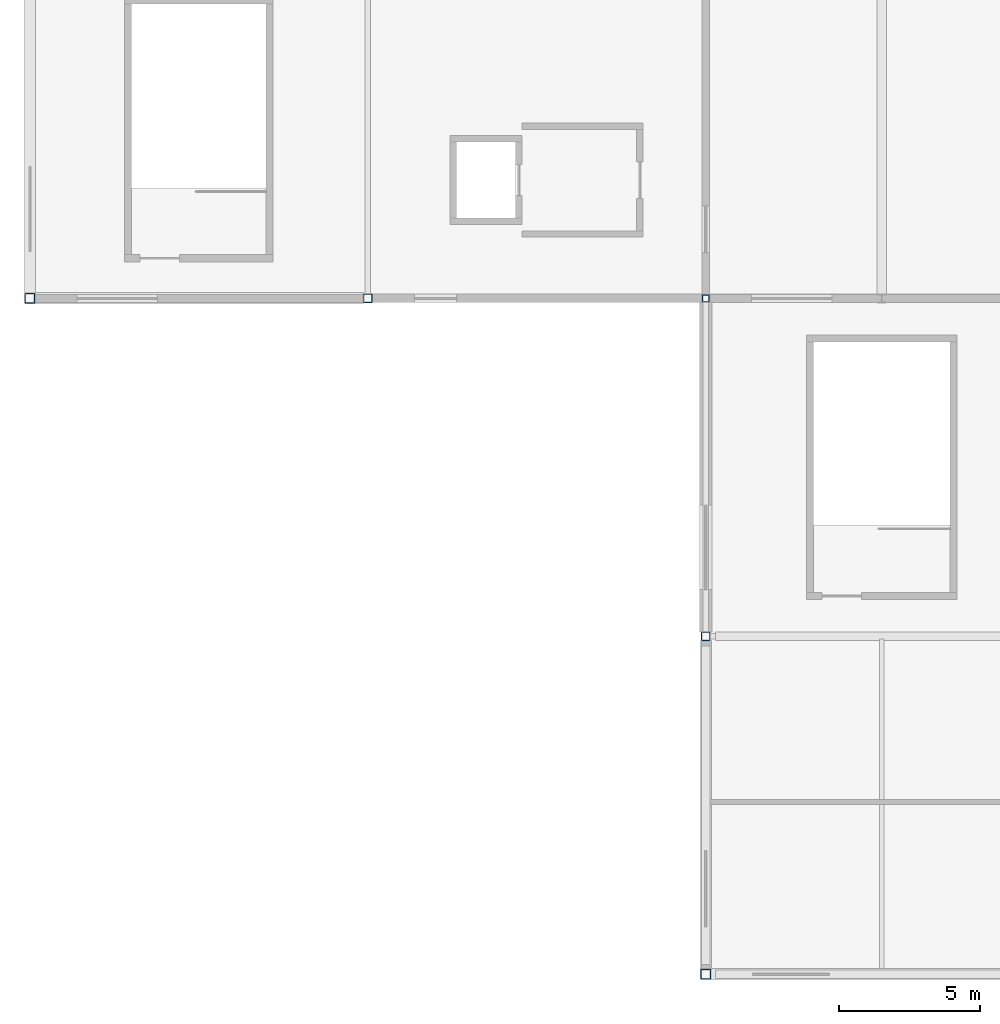
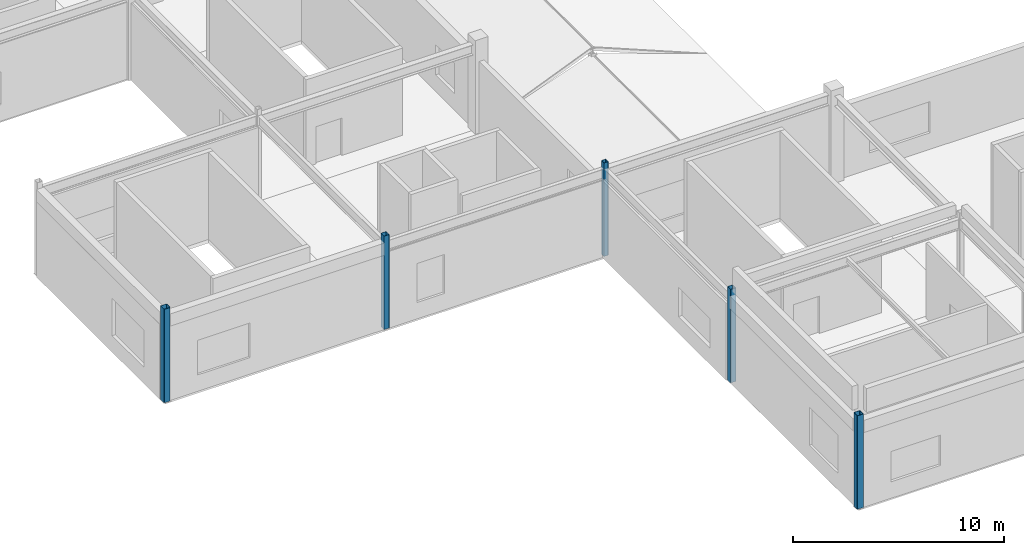
# One storey, part 1 of 76: 5 columns.
"""IFC4 building model written with IfcOpenShell, lengths in metres."""

from ifc_helpers import new_model, si_unit, direction, frame, origin, origin_2d, place, context, subcontext, project, spatial, hollow_rectangle, extrude, material, material_profile, profile_set, type_object, element, save


model = new_model("IFC4")

# Units and contexts
model_context = context("Model", 3, precision=1e-05, world=origin(), true_north=direction((0.0, 1.0)))
body_context = subcontext(model_context, "Body", "Model", "MODEL_VIEW")
ifc_project = project(units=[si_unit("LENGTHUNIT", "METRE"), si_unit("AREAUNIT", "SQUARE_METRE"), si_unit("VOLUMEUNIT", "CUBIC_METRE"), si_unit("PLANEANGLEUNIT", "RADIAN"), si_unit("MASSUNIT", "GRAM", prefix="KILO")], contexts=[model_context])

# Site, building, storey
site_placement = place(None, origin())
site = spatial("IfcSite", under=ifc_project, at=site_placement, CompositionType="ELEMENT")
building_placement = place(site_placement, origin())
building = spatial("IfcBuilding", under=site, at=building_placement, Name="Kazenohara Klinker Stadium", CompositionType="ELEMENT")
storey_placement = place(building_placement, frame((0.0, 0.0, 25.800048828125)))
storey = spatial("IfcBuildingStorey", under=building, at=storey_placement, Name="L05", CompositionType="ELEMENT", Elevation=25.800048828125)

# Columns
ifc_material = material(Name="Steel S355", Category="steel")
ifc_material_profile_1 = material_profile(ifc_material, hollow_rectangle(XDim=0.35009765625, YDim=0.35009765625, WallThickness=0.01611328125, InnerFilletRadius=0.01611328125, OuterFilletRadius=0.031982421875, at=origin_2d()), Name="SHS-350x350x16")
ifc_profile_set_1 = profile_set([ifc_material_profile_1], Name="Steel S355")
column_type_1 = type_object("IfcColumnType", Name="COL-ST02", PredefinedType="COLUMN", material=ifc_profile_set_1)
for number, where, z_axis, x_axis, name in (
    (1, (0.0, 36.0, 0.0), (0.0, 0.0, 1.0), (1.0, 0.0, 0.0), "Column SC02 L05 1/D"),
    (2, (24.0, 12.0, 0.0), (0.0, 0.0, 1.0), (1.0, 0.0, 0.0), "Column SC02 L05 3/B"),
):
    element("IfcColumn", number, at=place(storey_placement, frame(where, z_axis=z_axis, x_axis=x_axis)), inside=storey, type_object=column_type_1, Name=name, PredefinedType="COLUMN", context=body_context, shape_type="SweptSolid", body=[
        extrude(hollow_rectangle(XDim=0.35009765625, YDim=0.35009765625, WallThickness=0.01611328125, InnerFilletRadius=0.01611328125, OuterFilletRadius=0.031982421875, at=origin_2d()), origin(), (0.0, 0.0, 1.0), 5.39990234375),
    ])
ifc_material_profile_2 = material_profile(ifc_material, hollow_rectangle(XDim=0.300048828125, YDim=0.300048828125, WallThickness=0.011962890625, InnerFilletRadius=0.011962890625, OuterFilletRadius=0.02392578125, at=origin_2d()), Name="SHS-300x300x12")
ifc_profile_set_2 = profile_set([ifc_material_profile_2], Name="Steel S355")
column_type_2 = type_object("IfcColumnType", Name="COL-ST03", PredefinedType="COLUMN", material=ifc_profile_set_2)
for number, where, z_axis, x_axis, name in (
    (3, (12.0, 36.0, 0.0), (0.0, 0.0, 1.0), (1.0, 0.0, 0.0), "Column SC03 L05 2/D"),
    (4, (24.0, 24.0, 0.0), (0.0, 0.0, 1.0), (1.0, 0.0, 0.0), "Column SC03 L05 3/C"),
):
    element("IfcColumn", number, at=place(storey_placement, frame(where, z_axis=z_axis, x_axis=x_axis)), inside=storey, type_object=column_type_2, Name=name, PredefinedType="COLUMN", context=body_context, shape_type="SweptSolid", body=[
        extrude(hollow_rectangle(XDim=0.300048828125, YDim=0.300048828125, WallThickness=0.011962890625, InnerFilletRadius=0.011962890625, OuterFilletRadius=0.02392578125, at=origin_2d()), origin(), (0.0, 0.0, 1.0), 5.39990234375),
    ])
ifc_material_profile_3 = material_profile(ifc_material, hollow_rectangle(XDim=0.25, YDim=0.25, WallThickness=0.011962890625, InnerFilletRadius=0.011962890625, OuterFilletRadius=0.02392578125, at=origin_2d()), Name="SHS-250x250x12")
ifc_profile_set_3 = profile_set([ifc_material_profile_3], Name="Steel S355")
column_type_3 = type_object("IfcColumnType", Name="COL-ST04", PredefinedType="COLUMN", material=ifc_profile_set_3)
column_placement = place(storey_placement, frame((24.0, 36.0, 0.0), z_axis=(0.0, 0.0, 1.0), x_axis=(1.0, 0.0, 0.0)))
element("IfcColumn", 5, at=column_placement, inside=storey, type_object=column_type_3, Name="Column SC04 L05 3/D", PredefinedType="COLUMN", context=body_context, shape_type="SweptSolid", body=[
    extrude(hollow_rectangle(XDim=0.25, YDim=0.25, WallThickness=0.011962890625, InnerFilletRadius=0.011962890625, OuterFilletRadius=0.02392578125, at=origin_2d()), origin(), (0.0, 0.0, 1.0), 5.39990234375),
])

save(model, "model.ifc")
